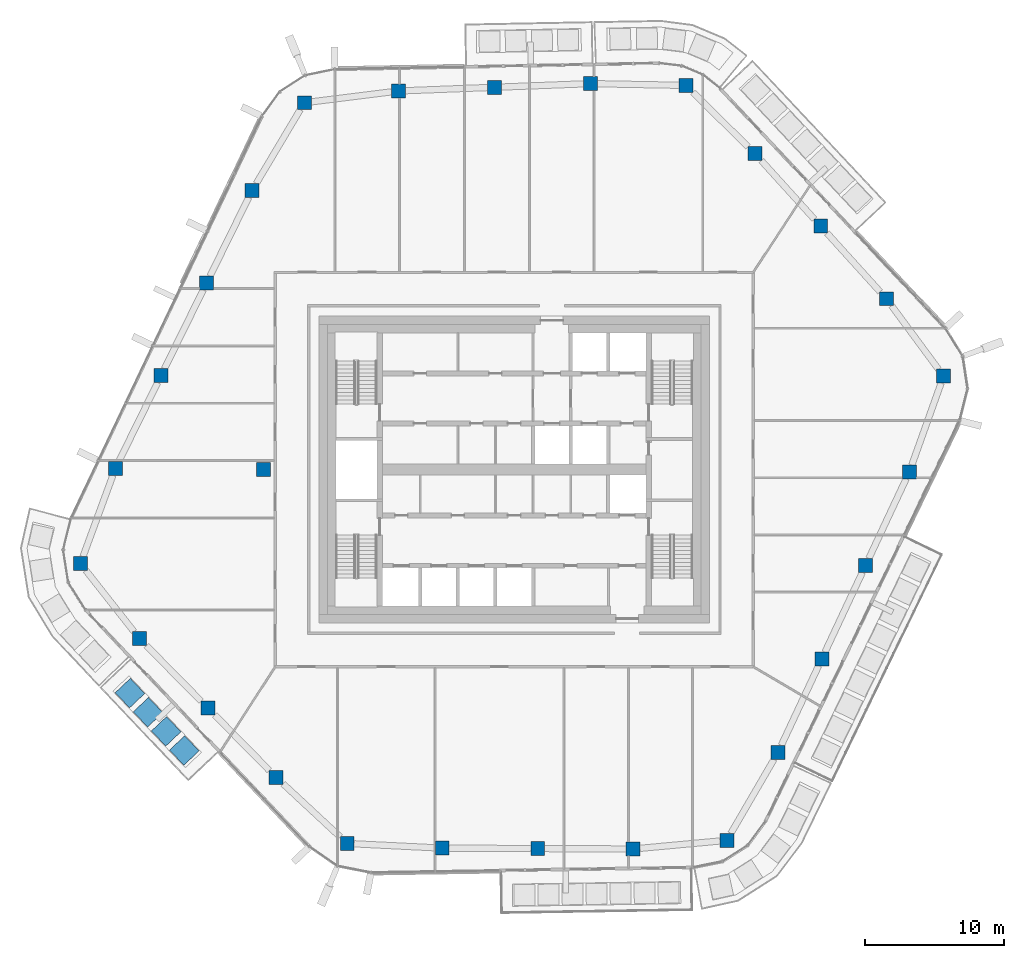
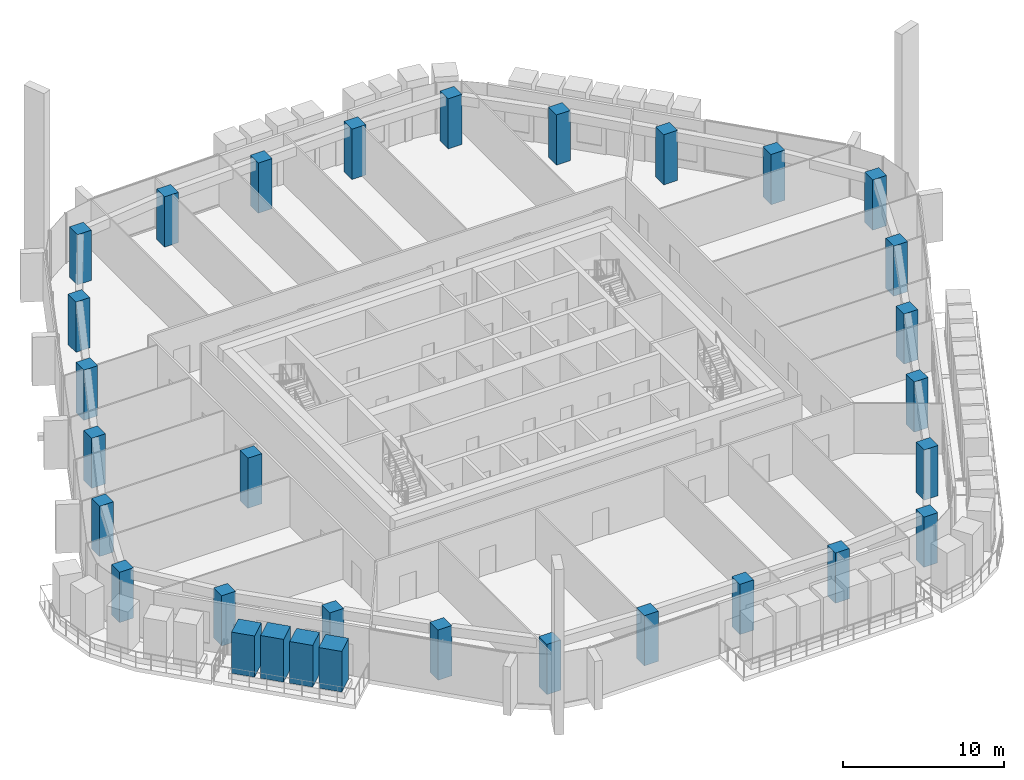
# One storey, part 1 of 24: 27 columns, 4 members.
"""IFC4 building model written with IfcOpenShell, lengths in metres."""

import ifcopenshell
import ifcopenshell.guid

model = None  # the IFC model being written
_history = None  # IfcOwnerHistory: only IFC2X3 demands one
_inside = {}  # id of a spatial element -> (the spatial element, [elements in it])
_under = {}  # id of a project, library or spatial element -> (it, [spatial elements below it])
_declared = {}  # id of a project -> (the project, [libraries it declares])
_typed = {}  # id of a type object -> (the type object, [elements of that type])
_made_of = {}  # id of a material, layer set ... -> (it, [elements and type objects made of it])


def new_model(schema):
    """Start an empty IFC model of exactly this schema.

    Asked for "IFC4X3", IfcOpenShell would pick the latest addendum, in which some entities
    have other attributes; the version numbers below select the first issue.
    IFC2X3 requires an IfcOwnerHistory on every rooted entity: one is made here for all.
    """
    global model, _history
    if schema == "IFC4X3":
        model = ifcopenshell.file(schema_version=(4, 3, 0, 0))
    else:
        model = ifcopenshell.file(schema=schema)
    _inside.clear()
    _under.clear()
    _declared.clear()
    _typed.clear()
    _made_of.clear()
    _history = None
    if model.schema == "IFC2X3":
        org = make("IfcOrganization", Name="unknown")
        user = make(
            "IfcPersonAndOrganization",
            ThePerson=make("IfcPerson", FamilyName="unknown"),
            TheOrganization=org,
        )
        app = make(
            "IfcApplication",
            ApplicationDeveloper=org,
            Version="unknown",
            ApplicationFullName="unknown",
            ApplicationIdentifier="unknown",
        )
        _history = make(
            "IfcOwnerHistory",
            OwningUser=user,
            OwningApplication=app,
            ChangeAction="ADDED",
            CreationDate=0,
        )
    return model


def make(cls, **values):
    """One entity of the class cls with the attributes given. An attribute that is None is left unset."""
    return model.create_entity(
        cls, **{name: value for name, value in values.items() if value is not None}
    )


def rooted(cls, **values):
    """An entity with a GlobalId (a new one), such as an element, a storey or a relation."""
    return make(cls, GlobalId=ifcopenshell.guid.new(), OwnerHistory=_history, **values)


def si_unit(unit_type, name, prefix=None):
    """IfcSIUnit, for example si_unit("LENGTHUNIT", "METRE", prefix="MILLI")."""
    return make("IfcSIUnit", UnitType=unit_type, Prefix=prefix, Name=name)


def assignment(units):
    """IfcUnitAssignment: the units of a project."""
    return None if units is None else make("IfcUnitAssignment", Units=units)


def point(xyz):
    """IfcCartesianPoint."""
    return None if xyz is None else make("IfcCartesianPoint", Coordinates=xyz)


def direction(xyz):
    """IfcDirection."""
    return None if xyz is None else make("IfcDirection", DirectionRatios=xyz)


def frame(location, z_axis=None, x_axis=None):
    """IfcAxis2Placement3D, a coordinate frame: its origin and axes. An axis left out is left unset."""
    return make(
        "IfcAxis2Placement3D",
        Location=point(location),
        Axis=direction(z_axis),
        RefDirection=direction(x_axis),
    )


def frame_2d(location, x_axis=None):
    """IfcAxis2Placement2D, a coordinate frame in the plane: its origin and x axis."""
    return make(
        "IfcAxis2Placement2D", Location=point(location), RefDirection=direction(x_axis)
    )


def origin():
    """The frame at (0, 0, 0) with its axes left unset."""
    return frame((0.0, 0.0, 0.0))


def origin_2d():
    """The frame at (0, 0) in the plane with its x axis left unset."""
    return frame_2d((0.0, 0.0))


def place(relative_to, where):
    """IfcLocalPlacement: puts the frame where relative to a parent placement (None: the world)."""
    return make(
        "IfcLocalPlacement", PlacementRelTo=relative_to, RelativePlacement=where
    )


def context(
    kind, dimensions, precision=None, world=None, true_north=None, identifier=None
):
    """IfcGeometricRepresentationContext, for example the 3D "Model" context."""
    return make(
        "IfcGeometricRepresentationContext",
        ContextIdentifier=identifier,
        ContextType=kind,
        CoordinateSpaceDimension=dimensions,
        Precision=precision,
        WorldCoordinateSystem=world,
        TrueNorth=true_north,
    )


def subcontext(parent, identifier, kind, view, scale=None):
    """IfcGeometricRepresentationSubContext, for example "Body" below "Model"."""
    return make(
        "IfcGeometricRepresentationSubContext",
        ContextIdentifier=identifier,
        ContextType=kind,
        ParentContext=parent,
        TargetScale=scale,
        TargetView=view,
    )


def project(units=None, contexts=None):
    """IfcProject with its units and contexts."""
    return rooted(
        "IfcProject",
        Name="project",
        RepresentationContexts=contexts,
        UnitsInContext=assignment(units),
    )


def spatial(cls, under=None, at=None, **own):
    """A site, building, storey or space (cls), placed at a placement, below another one or the project."""
    s = rooted(cls, ObjectPlacement=at, **own)
    if under is not None:
        _under.setdefault(under.id(), (under, []))[1].append(s)
    return s


def profile(cls, at=None, kind="AREA", **sizes):
    """A parametric profile (cls). Its sizes go by their IFC names, for example OverallWidth=200.0."""
    return make(cls, ProfileType=kind, Position=at, **sizes)


def rectangle(**sizes):
    """IfcRectangleProfileDef."""
    return profile("IfcRectangleProfileDef", **sizes)


def extrude(swept, where, along, depth):
    """IfcExtrudedAreaSolid: the profile swept, set in the frame where, extruded along a direction by depth."""
    return make(
        "IfcExtrudedAreaSolid",
        SweptArea=swept,
        Position=where,
        ExtrudedDirection=direction(along),
        Depth=depth,
    )


def shape(context_of_items, identifier, shape_type, items):
    """IfcShapeRepresentation: the items that make up one representation, for example the "Body"."""
    return make(
        "IfcShapeRepresentation",
        ContextOfItems=context_of_items,
        RepresentationIdentifier=identifier,
        RepresentationType=shape_type,
        Items=items,
    )


def material(Name=None, Category=None):
    """IfcMaterial."""
    return make("IfcMaterial", Name=Name, Category=Category)


def material_profile(
    of_material, cross_section, Name=None, Category=None, Priority=None
):
    """IfcMaterialProfile: a cross section and its material."""
    return make(
        "IfcMaterialProfile",
        Name=Name,
        Material=of_material,
        Profile=cross_section,
        Priority=Priority,
        Category=Category,
    )


def profile_set(profiles, Name=None, composite=None):
    """IfcMaterialProfileSet."""
    return make(
        "IfcMaterialProfileSet",
        Name=Name,
        MaterialProfiles=profiles,
        CompositeProfile=composite,
    )


def made_of(thing, what):
    """Note that an element or type object is made of a material, layer set ...; save() writes the relation."""
    if what is not None:
        _made_of.setdefault(what.id(), (what, []))[1].append(thing)
    return thing


def type_object(cls, material=None, **own):
    """A type object (cls), such as IfcWallType, which elements share."""
    return made_of(rooted(cls, **own), material)


def element(
    cls,
    number,
    at=None,
    inside=None,
    cuts=None,
    type_object=None,
    material=None,
    context=None,
    identifier="Body",
    shape_type=None,
    held_by="IfcProductDefinitionShape",
    body=None,
    shapes=None,
    **own,
):
    """One element of the class cls, such as IfcWall. Its Tag is "e" and its number.

    at: its placement. inside: the storey or other place that contains it. cuts: it is an
    opening in that element (IfcRelVoidsElement). A single representation is given by context,
    identifier, shape_type and body (its items); several are given by shapes. held_by: the class
    of the entity that holds the representations. save() writes the other relations.
    """
    e = rooted(cls, Tag="e%d" % number, ObjectPlacement=at, **own)
    if body is not None:
        shapes = [shape(context, identifier, shape_type, body)]
    if shapes is not None:
        e.Representation = make(held_by, Representations=shapes)
    if inside is not None:
        _inside.setdefault(inside.id(), (inside, []))[1].append(e)
    if cuts is not None:
        rooted(
            "IfcRelVoidsElement", RelatingBuildingElement=cuts, RelatedOpeningElement=e
        )
    if type_object is not None:
        _typed.setdefault(type_object.id(), (type_object, []))[1].append(e)
    return made_of(e, material)


def aggregate(whole, parts):
    """IfcRelAggregates: a whole, such as a stair, and the parts it consists of."""
    return rooted("IfcRelAggregates", RelatingObject=whole, RelatedObjects=parts)


def save(model, path):
    """Write the relations noted so far, then the file.

    IfcRelAggregates (storeys below a building ...), IfcRelContainedInSpatialStructure (elements
    in a storey), IfcRelDefinesByType, IfcRelAssociatesMaterial and IfcRelDeclares: one each for
    every whole, place, type object, material and project.
    """
    for whole, parts in _under.values():
        aggregate(whole, parts)
    for where, things in _inside.values():
        rooted(
            "IfcRelContainedInSpatialStructure",
            RelatedElements=things,
            RelatingStructure=where,
        )
    for kind, things in _typed.values():
        rooted("IfcRelDefinesByType", RelatedObjects=things, RelatingType=kind)
    for what, things in _made_of.values():
        rooted("IfcRelAssociatesMaterial", RelatedObjects=things, RelatingMaterial=what)
    for by, libraries in _declared.values():
        rooted("IfcRelDeclares", RelatingContext=by, RelatedDefinitions=libraries)
    model.write(path)


model = new_model("IFC4")

# Units and contexts
model_context = context("Model", 3, precision=1e-05, world=origin(), true_north=direction((0.0, 1.0)))
body_context = subcontext(model_context, "Body", "Model", "MODEL_VIEW")
ifc_project = project(units=[si_unit("LENGTHUNIT", "METRE"), si_unit("AREAUNIT", "SQUARE_METRE"), si_unit("VOLUMEUNIT", "CUBIC_METRE"), si_unit("PLANEANGLEUNIT", "RADIAN"), si_unit("MASSUNIT", "GRAM", prefix="KILO")], contexts=[model_context])

# Site, building, storey
site_placement = place(None, origin())
site = spatial("IfcSite", under=ifc_project, at=site_placement, CompositionType="ELEMENT")
building_placement = place(site_placement, origin())
building = spatial("IfcBuilding", under=site, at=building_placement, Name="Dongbaek Canopy Tower", CompositionType="ELEMENT")
storey_placement = place(building_placement, frame((0.0, 0.0, 294.199951171875)))
storey = spatial("IfcBuildingStorey", under=building, at=storey_placement, Name="L62", CompositionType="ELEMENT", Elevation=294.199951171875)

# Columns
ifc_material_1 = material(Name="Concrete C60", Category="concrete")
ifc_material_profile_1 = material_profile(ifc_material_1, rectangle(XDim=1.0, YDim=1.0, at=origin_2d()), Name="RC COLUMN 1000x1000 C60")
ifc_profile_set_1 = profile_set([ifc_material_profile_1], Name="Concrete C60")
column_type = type_object("IfcColumnType", Name="RC COLUMN 1000x1000 C60", PredefinedType="COLUMN", material=ifc_profile_set_1)
for number, where, z_axis, x_axis, name in (
    (1, (15.251953125, -26.60693359375, 0.0), (0.0, 0.0, 1.0), (1.0, 0.0, 0.0), "COL:CZ5-01:L62"),
    (2, (8.533935546875, -27.22705078125, 0.0), (0.0, 0.0, 1.0), (1.0, 0.0, 0.0), "COL:CZ5-02:L62"),
    (3, (1.68310546875, -27.197021484375, 0.0), (0.0, 0.0, 1.0), (1.0, 0.0, 0.0), "COL:CZ5-03:L62"),
    (4, (-5.166015625, -27.1669921875, 0.0), (0.0, 0.0, 1.0), (1.0, 0.0, 0.0), "COL:CZ5-04:L62"),
    (5, (-11.985107421875, -26.8310546875, 0.0), (0.0, 0.0, 1.0), (1.0, 0.0, 0.0), "COL:CZ5-05:L62"),
    (6, (-17.083984375, -22.089111328125, 0.0), (0.0, 0.0, 1.0), (1.0, 0.0, 0.0), "COL:CZ5-06:L62"),
    (7, (-21.986083984375, -17.112060546875, 0.0), (0.0, 0.0, 1.0), (1.0, 0.0, 0.0), "COL:CZ5-07:L62"),
    (8, (-26.888916015625, -12.134033203125, 0.0), (0.0, 0.0, 1.0), (1.0, 0.0, 0.0), "COL:CZ5-08:L62"),
    (9, (-31.12890625, -6.7451171875, 0.0), (0.0, 0.0, 1.0), (1.0, 0.0, 0.0), "COL:CZ5-09:L62"),
    (10, (-28.616943359375, 0.0859375, 0.0), (0.0, 0.0, 1.0), (1.0, 0.0, 0.0), "COL:CZ5-10:L62"),
    (11, (-25.346923828125, 6.735107421875, 0.0), (0.0, 0.0, 1.0), (1.0, 0.0, 0.0), "COL:CZ5-11:L62"),
    (12, (-22.075927734375, 13.384033203125, 0.0), (0.0, 0.0, 1.0), (1.0, 0.0, 0.0), "COL:CZ5-12:L62"),
    (13, (-18.805908203125, 20.031982421875, 0.0), (0.0, 0.0, 1.0), (1.0, 0.0, 0.0), "COL:CZ5-13:L62"),
    (14, (-15.06201171875, 26.321044921875, 0.0), (0.0, 0.0, 1.0), (1.0, 0.0, 0.0), "COL:CZ5-14:L62"),
    (15, (-8.30908203125, 27.1640625, 0.0), (0.0, 0.0, 1.0), (1.0, 0.0, 0.0), "COL:CZ5-15:L62"),
    (16, (-1.41796875, 27.427978515625, 0.0), (0.0, 0.0, 1.0), (1.0, 0.0, 0.0), "COL:CZ5-16:L62"),
    (17, (5.470947265625, 27.69189453125, 0.0), (0.0, 0.0, 1.0), (1.0, 0.0, 0.0), "COL:CZ5-17:L62"),
    (18, (12.31396484375, 27.56298828125, 0.0), (0.0, 0.0, 1.0), (1.0, 0.0, 0.0), "COL:CZ5-18:L62"),
    (19, (17.27587890625, 22.666015625, 0.0), (0.0, 0.0, 1.0), (1.0, 0.0, 0.0), "COL:CZ5-19:L62"),
    (20, (21.989990234375, 17.4619140625, 0.0), (0.0, 0.0, 1.0), (1.0, 0.0, 0.0), "COL:CZ5-20:L62"),
    (21, (26.702880859375, 12.257080078125, 0.0), (0.0, 0.0, 1.0), (1.0, 0.0, 0.0), "COL:CZ5-21:L62"),
    (22, (30.804931640625, 6.697998046875, 0.0), (0.0, 0.0, 1.0), (1.0, 0.0, 0.0), "COL:CZ5-22:L62"),
    (23, (28.35107421875, -0.169921875, 0.0), (0.0, 0.0, 1.0), (1.0, 0.0, 0.0), "COL:CZ5-23:L62"),
    (24, (25.2099609375, -6.87890625, 0.0), (0.0, 0.0, 1.0), (1.0, 0.0, 0.0), "COL:CZ5-24:L62"),
    (25, (22.068115234375, -13.587890625, 0.0), (0.0, 0.0, 1.0), (1.0, 0.0, 0.0), "COL:CZ5-25:L62"),
    (26, (18.925048828125, -20.2958984375, 0.0), (0.0, 0.0, 1.0), (1.0, 0.0, 0.0), "COL:CZ5-26:L62"),
    (27, (-18.0, 0.0, 0.0), (0.0, 0.0, 1.0), (1.0, 0.0, 0.0), "COL:CIZ5-01:L62"),
):
    element("IfcColumn", number, at=place(storey_placement, frame(where, z_axis=z_axis, x_axis=x_axis)), inside=storey, type_object=column_type, Name=name, PredefinedType="COLUMN", context=body_context, shape_type="SweptSolid", body=[
        extrude(rectangle(XDim=1.0, YDim=1.0, at=origin_2d()), origin(), (0.0, 0.0, 1.0), 3.820068359375),
    ])

# Members
ifc_material_2 = material(Name="Concrete C40/50 planter mass with planting", Category="concrete")
ifc_material_profile_2 = material_profile(ifc_material_2, rectangle(XDim=1.5, YDim=1.5, at=origin_2d()), Name="Terrace PLANTER shrub mass 1500 x 1500")
ifc_profile_set_2 = profile_set([ifc_material_profile_2], Name="Concrete C40/50 planter mass with planting")
member_type = type_object("IfcMemberType", Name="Terrace PLANTER shrub mass 1500 x 1500", PredefinedType="USERDEFINED", material=ifc_profile_set_2)
member_1_placement = place(storey_placement, frame((-27.575439453125, -16.041259765625, 0.420166015625), z_axis=(0.0, 0.0, 1.0), x_axis=(-0.72635486076, -0.687319879132, 0.0)))
element("IfcMember", 28, at=member_1_placement, inside=storey, type_object=member_type, Name="Planter shrubs L62 3.1", ObjectType="PLANTER", PredefinedType="USERDEFINED", context=body_context, shape_type="SweptSolid", body=[
    extrude(rectangle(XDim=1.5, YDim=1.5, at=origin_2d()), origin(), (0.0, 0.0, 1.0), 3.1298828125),
])
member_2_placement = place(storey_placement, frame((-26.2763671875, -17.4140625, 0.420166015625), z_axis=(0.0, 0.0, 1.0), x_axis=(-0.72635486076, -0.687319879132, 0.0)))
element("IfcMember", 29, at=member_2_placement, inside=storey, type_object=member_type, Name="Planter shrubs L62 3.2", ObjectType="PLANTER", PredefinedType="USERDEFINED", context=body_context, shape_type="SweptSolid", body=[
    extrude(rectangle(XDim=1.5, YDim=1.5, at=origin_2d()), origin(), (0.0, 0.0, 1.0), 3.25),
])
member_3_placement = place(storey_placement, frame((-24.977294921875, -18.786865234375, 0.420166015625), z_axis=(0.0, 0.0, 1.0), x_axis=(-0.72635486076, -0.687319879132, 0.0)))
element("IfcMember", 30, at=member_3_placement, inside=storey, type_object=member_type, Name="Planter shrubs L62 3.3", ObjectType="PLANTER", PredefinedType="USERDEFINED", context=body_context, shape_type="SweptSolid", body=[
    extrude(rectangle(XDim=1.5, YDim=1.5, at=origin_2d()), origin(), (0.0, 0.0, 1.0), 3.169921875),
])
member_4_placement = place(storey_placement, frame((-23.67822265625, -20.15966796875, 0.420166015625), z_axis=(0.0, 0.0, 1.0), x_axis=(-0.72635486076, -0.687319879132, 0.0)))
element("IfcMember", 31, at=member_4_placement, inside=storey, type_object=member_type, Name="Planter shrubs L62 3.4", ObjectType="PLANTER", PredefinedType="USERDEFINED", context=body_context, shape_type="SweptSolid", body=[
    extrude(rectangle(XDim=1.5, YDim=1.5, at=origin_2d()), origin(), (0.0, 0.0, 1.0), 3.08984375),
])

save(model, "model.ifc")
